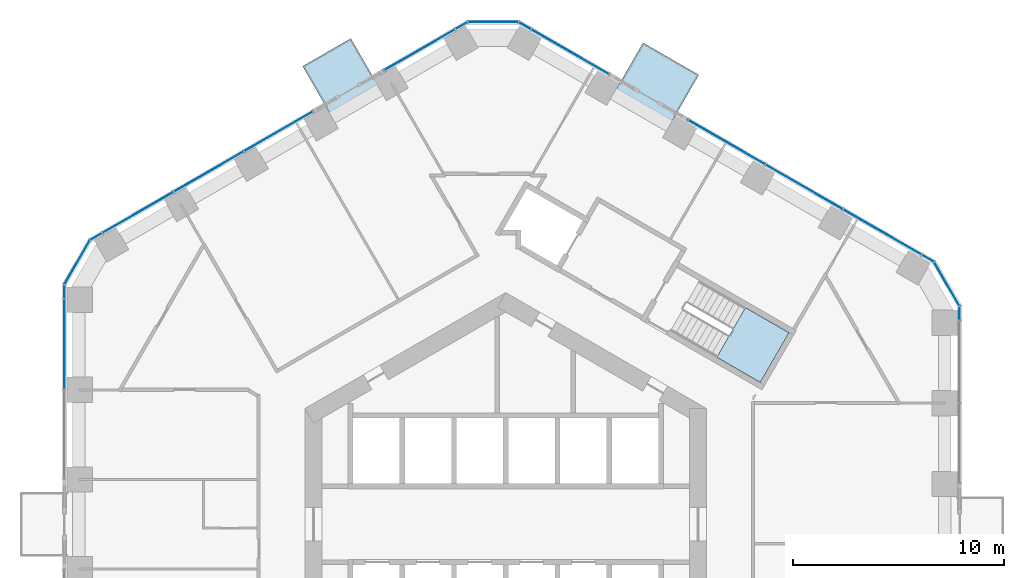
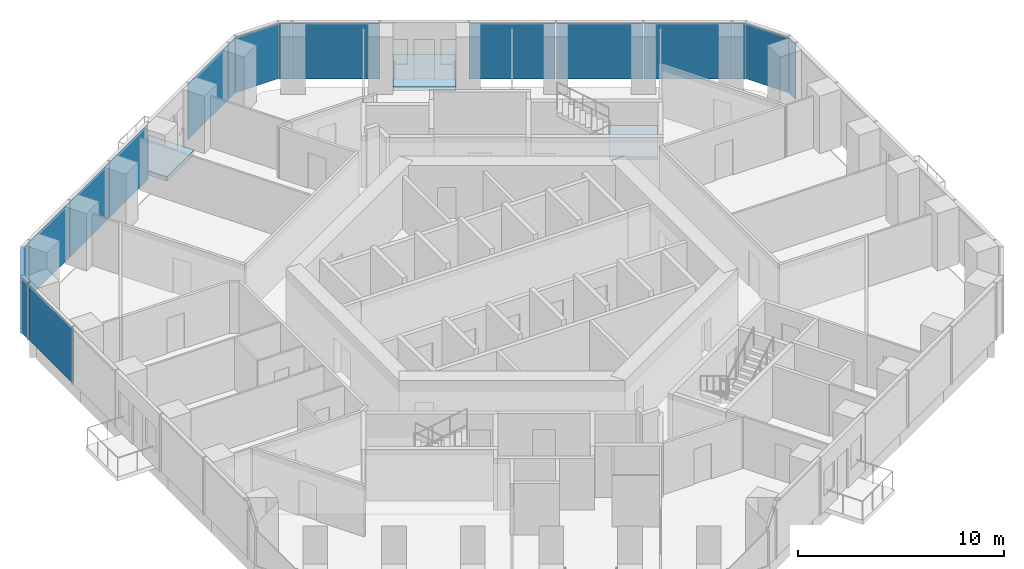
# One storey, part 12 of 20: 18 plates, 3 slabs, 9 elements without a shape of their own.
"""IFC4 building model written with IfcOpenShell, lengths in metres."""

import ifcopenshell
import ifcopenshell.guid

model = None  # the IFC model being written
_history = None  # IfcOwnerHistory: only IFC2X3 demands one
_inside = {}  # id of a spatial element -> (the spatial element, [elements in it])
_under = {}  # id of a project, library or spatial element -> (it, [spatial elements below it])
_declared = {}  # id of a project -> (the project, [libraries it declares])
_typed = {}  # id of a type object -> (the type object, [elements of that type])
_made_of = {}  # id of a material, layer set ... -> (it, [elements and type objects made of it])


def new_model(schema):
    """Start an empty IFC model of exactly this schema.

    Asked for "IFC4X3", IfcOpenShell would pick the latest addendum, in which some entities
    have other attributes; the version numbers below select the first issue.
    IFC2X3 requires an IfcOwnerHistory on every rooted entity: one is made here for all.
    """
    global model, _history
    if schema == "IFC4X3":
        model = ifcopenshell.file(schema_version=(4, 3, 0, 0))
    else:
        model = ifcopenshell.file(schema=schema)
    _inside.clear()
    _under.clear()
    _declared.clear()
    _typed.clear()
    _made_of.clear()
    _history = None
    if model.schema == "IFC2X3":
        org = make("IfcOrganization", Name="unknown")
        user = make(
            "IfcPersonAndOrganization",
            ThePerson=make("IfcPerson", FamilyName="unknown"),
            TheOrganization=org,
        )
        app = make(
            "IfcApplication",
            ApplicationDeveloper=org,
            Version="unknown",
            ApplicationFullName="unknown",
            ApplicationIdentifier="unknown",
        )
        _history = make(
            "IfcOwnerHistory",
            OwningUser=user,
            OwningApplication=app,
            ChangeAction="ADDED",
            CreationDate=0,
        )
    return model


def make(cls, **values):
    """One entity of the class cls with the attributes given. An attribute that is None is left unset."""
    return model.create_entity(
        cls, **{name: value for name, value in values.items() if value is not None}
    )


def rooted(cls, **values):
    """An entity with a GlobalId (a new one), such as an element, a storey or a relation."""
    return make(cls, GlobalId=ifcopenshell.guid.new(), OwnerHistory=_history, **values)


def si_unit(unit_type, name, prefix=None):
    """IfcSIUnit, for example si_unit("LENGTHUNIT", "METRE", prefix="MILLI")."""
    return make("IfcSIUnit", UnitType=unit_type, Prefix=prefix, Name=name)


def assignment(units):
    """IfcUnitAssignment: the units of a project."""
    return None if units is None else make("IfcUnitAssignment", Units=units)


def point(xyz):
    """IfcCartesianPoint."""
    return None if xyz is None else make("IfcCartesianPoint", Coordinates=xyz)


def direction(xyz):
    """IfcDirection."""
    return None if xyz is None else make("IfcDirection", DirectionRatios=xyz)


def frame(location, z_axis=None, x_axis=None):
    """IfcAxis2Placement3D, a coordinate frame: its origin and axes. An axis left out is left unset."""
    return make(
        "IfcAxis2Placement3D",
        Location=point(location),
        Axis=direction(z_axis),
        RefDirection=direction(x_axis),
    )


def frame_2d(location, x_axis=None):
    """IfcAxis2Placement2D, a coordinate frame in the plane: its origin and x axis."""
    return make(
        "IfcAxis2Placement2D", Location=point(location), RefDirection=direction(x_axis)
    )


def origin():
    """The frame at (0, 0, 0) with its axes left unset."""
    return frame((0.0, 0.0, 0.0))


def origin_2d():
    """The frame at (0, 0) in the plane with its x axis left unset."""
    return frame_2d((0.0, 0.0))


def place(relative_to, where):
    """IfcLocalPlacement: puts the frame where relative to a parent placement (None: the world)."""
    return make(
        "IfcLocalPlacement", PlacementRelTo=relative_to, RelativePlacement=where
    )


def context(
    kind, dimensions, precision=None, world=None, true_north=None, identifier=None
):
    """IfcGeometricRepresentationContext, for example the 3D "Model" context."""
    return make(
        "IfcGeometricRepresentationContext",
        ContextIdentifier=identifier,
        ContextType=kind,
        CoordinateSpaceDimension=dimensions,
        Precision=precision,
        WorldCoordinateSystem=world,
        TrueNorth=true_north,
    )


def subcontext(parent, identifier, kind, view, scale=None):
    """IfcGeometricRepresentationSubContext, for example "Body" below "Model"."""
    return make(
        "IfcGeometricRepresentationSubContext",
        ContextIdentifier=identifier,
        ContextType=kind,
        ParentContext=parent,
        TargetScale=scale,
        TargetView=view,
    )


def project(units=None, contexts=None):
    """IfcProject with its units and contexts."""
    return rooted(
        "IfcProject",
        Name="project",
        RepresentationContexts=contexts,
        UnitsInContext=assignment(units),
    )


def spatial(cls, under=None, at=None, **own):
    """A site, building, storey or space (cls), placed at a placement, below another one or the project."""
    s = rooted(cls, ObjectPlacement=at, **own)
    if under is not None:
        _under.setdefault(under.id(), (under, []))[1].append(s)
    return s


def polyline(points):
    """IfcPolyline through the points."""
    return make("IfcPolyline", Points=[point(p) for p in points])


def profile(cls, at=None, kind="AREA", **sizes):
    """A parametric profile (cls). Its sizes go by their IFC names, for example OverallWidth=200.0."""
    return make(cls, ProfileType=kind, Position=at, **sizes)


def rectangle(**sizes):
    """IfcRectangleProfileDef."""
    return profile("IfcRectangleProfileDef", **sizes)


def outline(outer, holes=None, kind="AREA"):
    """IfcArbitraryClosedProfileDef: a profile drawn as a closed curve; with holes, ...WithVoids."""
    if holes is None:
        return make("IfcArbitraryClosedProfileDef", ProfileType=kind, OuterCurve=outer)
    return make(
        "IfcArbitraryProfileDefWithVoids",
        ProfileType=kind,
        OuterCurve=outer,
        InnerCurves=holes,
    )


def extrude(swept, where, along, depth):
    """IfcExtrudedAreaSolid: the profile swept, set in the frame where, extruded along a direction by depth."""
    return make(
        "IfcExtrudedAreaSolid",
        SweptArea=swept,
        Position=where,
        ExtrudedDirection=direction(along),
        Depth=depth,
    )


def shape(context_of_items, identifier, shape_type, items):
    """IfcShapeRepresentation: the items that make up one representation, for example the "Body"."""
    return make(
        "IfcShapeRepresentation",
        ContextOfItems=context_of_items,
        RepresentationIdentifier=identifier,
        RepresentationType=shape_type,
        Items=items,
    )


def material(Name=None, Category=None):
    """IfcMaterial."""
    return make("IfcMaterial", Name=Name, Category=Category)


def layer(
    of_material, thickness, ventilated=None, Name=None, Category=None, Priority=None
):
    """IfcMaterialLayer: one layer of a wall or slab, of a material (None: an air gap)."""
    return make(
        "IfcMaterialLayer",
        Material=of_material,
        LayerThickness=thickness,
        IsVentilated=ventilated,
        Name=Name,
        Category=Category,
        Priority=Priority,
    )


def layer_set(layers, Name=None):
    """IfcMaterialLayerSet."""
    return make("IfcMaterialLayerSet", MaterialLayers=layers, LayerSetName=Name)


def made_of(thing, what):
    """Note that an element or type object is made of a material, layer set ...; save() writes the relation."""
    if what is not None:
        _made_of.setdefault(what.id(), (what, []))[1].append(thing)
    return thing


def type_object(cls, material=None, **own):
    """A type object (cls), such as IfcWallType, which elements share."""
    return made_of(rooted(cls, **own), material)


def element(
    cls,
    number,
    at=None,
    inside=None,
    cuts=None,
    type_object=None,
    material=None,
    context=None,
    identifier="Body",
    shape_type=None,
    held_by="IfcProductDefinitionShape",
    body=None,
    shapes=None,
    **own,
):
    """One element of the class cls, such as IfcWall. Its Tag is "e" and its number.

    at: its placement. inside: the storey or other place that contains it. cuts: it is an
    opening in that element (IfcRelVoidsElement). A single representation is given by context,
    identifier, shape_type and body (its items); several are given by shapes. held_by: the class
    of the entity that holds the representations. save() writes the other relations.
    """
    e = rooted(cls, Tag="e%d" % number, ObjectPlacement=at, **own)
    if body is not None:
        shapes = [shape(context, identifier, shape_type, body)]
    if shapes is not None:
        e.Representation = make(held_by, Representations=shapes)
    if inside is not None:
        _inside.setdefault(inside.id(), (inside, []))[1].append(e)
    if cuts is not None:
        rooted(
            "IfcRelVoidsElement", RelatingBuildingElement=cuts, RelatedOpeningElement=e
        )
    if type_object is not None:
        _typed.setdefault(type_object.id(), (type_object, []))[1].append(e)
    return made_of(e, material)


def aggregate(whole, parts):
    """IfcRelAggregates: a whole, such as a stair, and the parts it consists of."""
    return rooted("IfcRelAggregates", RelatingObject=whole, RelatedObjects=parts)


def save(model, path):
    """Write the relations noted so far, then the file.

    IfcRelAggregates (storeys below a building ...), IfcRelContainedInSpatialStructure (elements
    in a storey), IfcRelDefinesByType, IfcRelAssociatesMaterial and IfcRelDeclares: one each for
    every whole, place, type object, material and project.
    """
    for whole, parts in _under.values():
        aggregate(whole, parts)
    for where, things in _inside.values():
        rooted(
            "IfcRelContainedInSpatialStructure",
            RelatedElements=things,
            RelatingStructure=where,
        )
    for kind, things in _typed.values():
        rooted("IfcRelDefinesByType", RelatedObjects=things, RelatingType=kind)
    for what, things in _made_of.values():
        rooted("IfcRelAssociatesMaterial", RelatedObjects=things, RelatingMaterial=what)
    for by, libraries in _declared.values():
        rooted("IfcRelDeclares", RelatingContext=by, RelatedDefinitions=libraries)
    model.write(path)


model = new_model("IFC4")

# Units and contexts
model_context = context("Model", 3, precision=1e-05, world=origin(), true_north=direction((0.0, 1.0)))
body_context = subcontext(model_context, "Body", "Model", "MODEL_VIEW")
ifc_project = project(units=[si_unit("LENGTHUNIT", "METRE"), si_unit("AREAUNIT", "SQUARE_METRE"), si_unit("VOLUMEUNIT", "CUBIC_METRE"), si_unit("PLANEANGLEUNIT", "RADIAN"), si_unit("MASSUNIT", "GRAM", prefix="KILO")], contexts=[model_context])

# Site, building, storey
site_placement = place(None, origin())
site = spatial("IfcSite", under=ifc_project, at=site_placement, CompositionType="ELEMENT")
building_placement = place(site_placement, origin())
building = spatial("IfcBuilding", under=site, at=building_placement, Name="Ayvan Gate Tower", CompositionType="ELEMENT")
storey_placement = place(building_placement, frame((0.0, 0.0, 59.5)))
storey = spatial("IfcBuildingStorey", under=building, at=storey_placement, Name="L15", CompositionType="ELEMENT", Elevation=59.5)

# Slabs
ifc_material_1 = material(Name="Concrete C40/50", Category="concrete")
ifc_layer_1 = layer(ifc_material_1, 0.25)
ifc_layer_set_1 = layer_set([ifc_layer_1], Name="Concrete C40/50")
slab_type_1 = type_object("IfcSlabType", Name="Balcony slab 250", PredefinedType="FLOOR", material=ifc_layer_set_1)
slab_1_placement = place(storey_placement, frame((0.0, 0.0, -0.25)))
element("IfcSlab", 1, at=slab_1_placement, inside=storey, type_object=slab_type_1, Name="Balcony slab BAL-L15-2", PredefinedType="FLOOR", context=body_context, shape_type="SweptSolid", body=[
    extrude(outline(polyline([(-5.9326171875, 20.57470703125), (-8.212890625, 19.25830078125), (-9.61279296875, 21.68310546875), (-7.33251953125, 22.999755859375), (-5.9326171875, 20.57470703125)])), origin(), (0.0, 0.0, 1.0), 0.25),
])
slab_2_placement = place(storey_placement, frame((0.0, 0.0, -0.25)))
element("IfcSlab", 2, at=slab_2_placement, inside=storey, type_object=slab_type_1, Name="Balcony slab BAL-L15-1", PredefinedType="FLOOR", context=body_context, shape_type="SweptSolid", body=[
    extrude(outline(polyline([(7.738037109375, 18.84716796875), (5.101806640625, 20.369140625), (6.501708984375, 22.794189453125), (9.13818359375, 21.27197265625), (7.738037109375, 18.84716796875)])), origin(), (0.0, 0.0, 1.0), 0.25),
])

# Stair, slab
stair_type = type_object("IfcStairType", Name="ST-EXIT", PredefinedType="HALF_TURN_STAIR", material=ifc_material_1)
stair_placement = place(storey_placement, origin())
stair = element("IfcStair", 3, at=stair_placement, inside=storey, type_object=stair_type, Name="L15 Exit Stair S1", PredefinedType="HALF_TURN_STAIR")
ifc_layer_2 = layer(ifc_material_1, 0.199951171875)
ifc_layer_set_2 = layer_set([ifc_layer_2], Name="Concrete C40/50")
slab_type_2 = type_object("IfcSlabType", Name="SL-LANDING-200", PredefinedType="LANDING", material=ifc_layer_set_2)
slab_3_placement = place(storey_placement, frame((0.0, 0.0, 1.5)))
slab_3 = element("IfcSlab", 4, at=slab_3_placement, type_object=slab_type_2, Name="STS1 landing 1", PredefinedType="LANDING", context=body_context, shape_type="SweptSolid", body=[
    extrude(outline(polyline([(9.988525390625, 7.91064453125), (12.049560546875, 6.720458984375), (13.404541015625, 9.0673828125), (11.343505859375, 10.257568359375), (9.988525390625, 7.91064453125)])), origin(), (0.0, 0.0, 1.0), 0.199951171875),
])
aggregate(stair, [slab_3])

# Curtain wall, plate
ifc_material_2 = material(Name="Bronze anodised aluminium", Category="aluminium")
ifc_layer_3 = layer(ifc_material_2, 0.199951171875)
ifc_layer_set_3 = layer_set([ifc_layer_3], Name="Bronze anodised aluminium")
curtain_wall_type_1 = type_object("IfcCurtainWallType", Name="Stick curtain wall CW-1", PredefinedType="NOTDEFINED", material=ifc_layer_set_3)
curtain_wall_1_placement = place(storey_placement, origin())
curtain_wall_1 = element("IfcCurtainWall", 5, at=curtain_wall_1_placement, inside=storey, type_object=curtain_wall_type_1, Name="Stick curtain wall CW-1 L15", PredefinedType="NOTDEFINED")
ifc_material_3 = material(Name="Clear low-iron laminated glass", Category="glass")
ifc_layer_4 = layer(ifc_material_3, 0.028076171875)
ifc_layer_set_4 = layer_set([ifc_layer_4], Name="Clear low-iron laminated glass")
plate_type_1 = type_object("IfcPlateType", Name="Stick curtain wall CW-1 glass panel", PredefinedType="CURTAIN_PANEL", material=ifc_layer_set_4)
plate_1_placement = place(storey_placement, frame((-4.072265625, 22.45703125, 0.0), z_axis=(0.0, 0.0, 1.0), x_axis=(-0.866025403784, -0.5, 0.0)))
plate_1 = element("IfcPlate", 6, at=plate_1_placement, type_object=plate_type_1, Name="CW-1 glass panel 1", PredefinedType="CURTAIN_PANEL", context=body_context, shape_type="SweptSolid", body=[
    extrude(rectangle(XDim=3.885986328125, YDim=0.028076171875, at=origin_2d()), origin(), (0.0, 0.0, 1.0), 3.280029296875),
])
aggregate(curtain_wall_1, [plate_1])

# Curtain wall, plates
curtain_wall_2_placement = place(storey_placement, origin())
curtain_wall_2 = element("IfcCurtainWall", 7, at=curtain_wall_2_placement, inside=storey, type_object=curtain_wall_type_1, Name="Stick curtain wall CW-1 L15", PredefinedType="NOTDEFINED")
plate_2_placement = place(storey_placement, frame((-10.742431640625, 18.606201171875, 0.0), z_axis=(0.0, 0.0, 1.0), x_axis=(-0.866025403784, -0.5, 0.0)))
plate_2 = element("IfcPlate", 8, at=plate_2_placement, type_object=plate_type_1, Name="CW-1 glass panel 1", PredefinedType="CURTAIN_PANEL", context=body_context, shape_type="SweptSolid", body=[
    extrude(rectangle(XDim=3.760009765625, YDim=0.028076171875, at=origin_2d()), origin(), (0.0, 0.0, 1.0), 3.280029296875),
])
plate_3_placement = place(storey_placement, frame((-14.05029296875, 16.6962890625, 0.0), z_axis=(0.0, 0.0, 1.0), x_axis=(-0.866025403784, -0.5, 0.0)))
plate_3 = element("IfcPlate", 9, at=plate_3_placement, type_object=plate_type_1, Name="CW-1 glass panel 2", PredefinedType="CURTAIN_PANEL", context=body_context, shape_type="SweptSolid", body=[
    extrude(rectangle(XDim=3.759033203125, YDim=0.028076171875, at=origin_2d()), origin(), (0.0, 0.0, 1.0), 3.280029296875),
])
plate_4_placement = place(storey_placement, frame((-17.412353515625, 14.755126953125, 0.0), z_axis=(0.0, 0.0, 1.0), x_axis=(-0.866025403784, -0.5, 0.0)))
plate_4 = element("IfcPlate", 10, at=plate_4_placement, type_object=plate_type_1, Name="CW-1 glass panel 3", PredefinedType="CURTAIN_PANEL", context=body_context, shape_type="SweptSolid", body=[
    extrude(rectangle(XDim=3.8857421875, YDim=0.028076171875, at=origin_2d()), origin(), (0.0, 0.0, 1.0), 3.280029296875),
])
aggregate(curtain_wall_2, [plate_2, plate_3, plate_4])

# Curtain wall, plate
curtain_wall_3_placement = place(storey_placement, origin())
curtain_wall_3 = element("IfcCurtainWall", 11, at=curtain_wall_3_placement, inside=storey, type_object=curtain_wall_type_1, Name="Stick curtain wall CW-1 L15", PredefinedType="NOTDEFINED")
plate_5_placement = place(storey_placement, frame((-20.89111328125, 8.539794921875, 0.0), z_axis=(0.0, 0.0, 1.0), x_axis=(0.0, -1.0, 0.0)))
plate_5 = element("IfcPlate", 12, at=plate_5_placement, type_object=plate_type_1, Name="CW-1 glass panel 1", PredefinedType="CURTAIN_PANEL", context=body_context, shape_type="SweptSolid", body=[
    extrude(rectangle(XDim=4.26611328125, YDim=0.028076171875, at=origin_2d()), origin(), (0.0, 0.0, 1.0), 3.280029296875),
])
aggregate(curtain_wall_3, [plate_5])

# Curtain wall, plates
curtain_wall_4_placement = place(storey_placement, origin())
curtain_wall_4 = element("IfcCurtainWall", 13, at=curtain_wall_4_placement, inside=storey, type_object=curtain_wall_type_1, Name="Stick curtain wall CW-1 L15", PredefinedType="NOTDEFINED")
plate_6_placement = place(storey_placement, frame((17.84130859375, 13.822265625, 0.0), z_axis=(0.0, 0.0, 1.0), x_axis=(-0.866025403784, 0.5, 0.0)))
plate_6 = element("IfcPlate", 14, at=plate_6_placement, type_object=plate_type_1, Name="CW-1 glass panel 1", PredefinedType="CURTAIN_PANEL", context=body_context, shape_type="SweptSolid", body=[
    extrude(rectangle(XDim=4.26611328125, YDim=0.028076171875, at=origin_2d()), origin(), (0.0, 0.0, 1.0), 3.280029296875),
])
plate_7_placement = place(storey_placement, frame((14.127197265625, 15.966552734375, 0.0), z_axis=(0.0, 0.0, 1.0), x_axis=(-0.866025403784, 0.5, 0.0)))
plate_7 = element("IfcPlate", 15, at=plate_7_placement, type_object=plate_type_1, Name="CW-1 glass panel 2", PredefinedType="CURTAIN_PANEL", context=body_context, shape_type="SweptSolid", body=[
    extrude(rectangle(XDim=4.19091796875, YDim=0.028076171875, at=origin_2d()), origin(), (0.0, 0.0, 1.0), 3.280029296875),
])
plate_8_placement = place(storey_placement, frame((10.44580078125, 18.092041015625, 0.0), z_axis=(0.0, 0.0, 1.0), x_axis=(-0.866025403784, 0.5, 0.0)))
plate_8 = element("IfcPlate", 16, at=plate_8_placement, type_object=plate_type_1, Name="CW-1 glass panel 3", PredefinedType="CURTAIN_PANEL", context=body_context, shape_type="SweptSolid", body=[
    extrude(rectangle(XDim=4.19091796875, YDim=0.028076171875, at=origin_2d()), origin(), (0.0, 0.0, 1.0), 3.280029296875),
])
aggregate(curtain_wall_4, [plate_6, plate_7, plate_8])

# Curtain wall, plate
curtain_wall_5_placement = place(storey_placement, origin())
curtain_wall_5 = element("IfcCurtainWall", 17, at=curtain_wall_5_placement, inside=storey, type_object=curtain_wall_type_1, Name="Stick curtain wall CW-1 L15", PredefinedType="NOTDEFINED")
plate_9_placement = place(storey_placement, frame((3.050048828125, 22.362060546875, 0.0), z_axis=(0.0, 0.0, 1.0), x_axis=(-0.866025403784, 0.5, 0.0)))
plate_9 = element("IfcPlate", 18, at=plate_9_placement, type_object=plate_type_1, Name="CW-1 glass panel 1", PredefinedType="CURTAIN_PANEL", context=body_context, shape_type="SweptSolid", body=[
    extrude(rectangle(XDim=4.2666015625, YDim=0.028076171875, at=origin_2d()), origin(), (0.0, 0.0, 1.0), 3.280029296875),
])
aggregate(curtain_wall_5, [plate_9])

# Curtain wall, plates
ifc_layer_5 = layer(ifc_material_2, 0.199951171875)
ifc_layer_set_5 = layer_set([ifc_layer_5], Name="Bronze anodised aluminium")
curtain_wall_type_2 = type_object("IfcCurtainWallType", Name="Stick curtain wall CW-6", PredefinedType="NOTDEFINED", material=ifc_layer_set_5)
curtain_wall_6_placement = place(storey_placement, origin())
curtain_wall_6 = element("IfcCurtainWall", 19, at=curtain_wall_6_placement, inside=storey, type_object=curtain_wall_type_2, Name="Stick curtain wall CW-6 L15", PredefinedType="NOTDEFINED")
ifc_layer_6 = layer(ifc_material_3, 0.028076171875)
ifc_layer_set_6 = layer_set([ifc_layer_6], Name="Clear low-iron laminated glass")
plate_type_2 = type_object("IfcPlateType", Name="Stick curtain wall CW-6 glass panel", PredefinedType="CURTAIN_PANEL", material=ifc_layer_set_6)
plate_10_placement = place(storey_placement, frame((-19.3916015625, 13.612548828125, 0.0), z_axis=(0.0, 0.0, 1.0), x_axis=(-0.866025403784, -0.5, 0.0)))
plate_10 = element("IfcPlate", 20, at=plate_10_placement, type_object=plate_type_2, Name="CW-6 glass panel 1", PredefinedType="CURTAIN_PANEL", context=body_context, shape_type="SweptSolid", body=[
    extrude(rectangle(XDim=0.625, YDim=0.028076171875, at=origin_2d()), origin(), (0.0, 0.0, 1.0), 3.280029296875),
])
plate_11_placement = place(storey_placement, frame((-20.28759765625, 12.398193359375, 0.0), z_axis=(0.0, 0.0, 1.0), x_axis=(-0.5, -0.866025403784, 0.0)))
plate_11 = element("IfcPlate", 21, at=plate_11_placement, type_object=plate_type_2, Name="CW-6 glass panel 2", PredefinedType="CURTAIN_PANEL", context=body_context, shape_type="SweptSolid", body=[
    extrude(rectangle(XDim=2.364501953125, YDim=0.028076171875, at=origin_2d()), origin(), (0.0, 0.0, 1.0), 3.280029296875),
])
plate_12_placement = place(storey_placement, frame((-20.89111328125, 11.01513671875, 0.0), z_axis=(0.0, 0.0, 1.0), x_axis=(0.0, -1.0, 0.0)))
plate_12 = element("IfcPlate", 22, at=plate_12_placement, type_object=plate_type_2, Name="CW-6 glass panel 3", PredefinedType="CURTAIN_PANEL", context=body_context, shape_type="SweptSolid", body=[
    extrude(rectangle(XDim=0.625, YDim=0.028076171875, at=origin_2d()), origin(), (0.0, 0.0, 1.0), 3.280029296875),
])
aggregate(curtain_wall_6, [plate_10, plate_11, plate_12])

curtain_wall_7_placement = place(storey_placement, origin())
curtain_wall_7 = element("IfcCurtainWall", 23, at=curtain_wall_7_placement, inside=storey, type_object=curtain_wall_type_2, Name="Stick curtain wall CW-6 L15", PredefinedType="NOTDEFINED")
plate_13_placement = place(storey_placement, frame((21.484619140625, 9.9873046875, 0.0), z_axis=(0.0, 0.0, 1.0), x_axis=(0.0, 1.0, 0.0)))
plate_13 = element("IfcPlate", 24, at=plate_13_placement, type_object=plate_type_2, Name="CW-6 glass panel 1", PredefinedType="CURTAIN_PANEL", context=body_context, shape_type="SweptSolid", body=[
    extrude(rectangle(XDim=0.625, YDim=0.028076171875, at=origin_2d()), origin(), (0.0, 0.0, 1.0), 3.280029296875),
])
plate_14_placement = place(storey_placement, frame((20.880859375, 11.370361328125, 0.0), z_axis=(0.0, 0.0, 1.0), x_axis=(-0.5, 0.866025403784, 0.0)))
plate_14 = element("IfcPlate", 25, at=plate_14_placement, type_object=plate_type_2, Name="CW-6 glass panel 2", PredefinedType="CURTAIN_PANEL", context=body_context, shape_type="SweptSolid", body=[
    extrude(rectangle(XDim=2.364501953125, YDim=0.028076171875, at=origin_2d()), origin(), (0.0, 0.0, 1.0), 3.280029296875),
])
plate_15_placement = place(storey_placement, frame((19.985107421875, 12.584716796875, 0.0), z_axis=(0.0, 0.0, 1.0), x_axis=(-0.866025403784, 0.5, 0.0)))
plate_15 = element("IfcPlate", 26, at=plate_15_placement, type_object=plate_type_2, Name="CW-6 glass panel 3", PredefinedType="CURTAIN_PANEL", context=body_context, shape_type="SweptSolid", body=[
    extrude(rectangle(XDim=0.625, YDim=0.028076171875, at=origin_2d()), origin(), (0.0, 0.0, 1.0), 3.280029296875),
])
aggregate(curtain_wall_7, [plate_13, plate_14, plate_15])

curtain_wall_8_placement = place(storey_placement, origin())
curtain_wall_8 = element("IfcCurtainWall", 27, at=curtain_wall_8_placement, inside=storey, type_object=curtain_wall_type_2, Name="Stick curtain wall CW-6 L15", PredefinedType="NOTDEFINED")
plate_16_placement = place(storey_placement, frame((0.906005859375, 23.599853515625, 0.0), z_axis=(0.0, 0.0, 1.0), x_axis=(-0.866025403784, 0.5, 0.0)))
plate_16 = element("IfcPlate", 28, at=plate_16_placement, type_object=plate_type_2, Name="CW-6 glass panel 1", PredefinedType="CURTAIN_PANEL", context=body_context, shape_type="SweptSolid", body=[
    extrude(rectangle(XDim=0.625, YDim=0.028076171875, at=origin_2d()), origin(), (0.0, 0.0, 1.0), 3.280029296875),
])
plate_17_placement = place(storey_placement, frame((-0.593505859375, 23.7685546875, 0.0), z_axis=(0.0, 0.0, 1.0), x_axis=(-1.0, 0.0, 0.0)))
plate_17 = element("IfcPlate", 29, at=plate_17_placement, type_object=plate_type_2, Name="CW-6 glass panel 2", PredefinedType="CURTAIN_PANEL", context=body_context, shape_type="SweptSolid", body=[
    extrude(rectangle(XDim=2.364501953125, YDim=0.028076171875, at=origin_2d()), origin(), (0.0, 0.0, 1.0), 3.280029296875),
])
plate_18_placement = place(storey_placement, frame((-2.093017578125, 23.599853515625, 0.0), z_axis=(0.0, 0.0, 1.0), x_axis=(-0.866025403784, -0.5, 0.0)))
plate_18 = element("IfcPlate", 30, at=plate_18_placement, type_object=plate_type_2, Name="CW-6 glass panel 3", PredefinedType="CURTAIN_PANEL", context=body_context, shape_type="SweptSolid", body=[
    extrude(rectangle(XDim=0.625, YDim=0.028076171875, at=origin_2d()), origin(), (0.0, 0.0, 1.0), 3.280029296875),
])
aggregate(curtain_wall_8, [plate_16, plate_17, plate_18])

save(model, "model.ifc")
